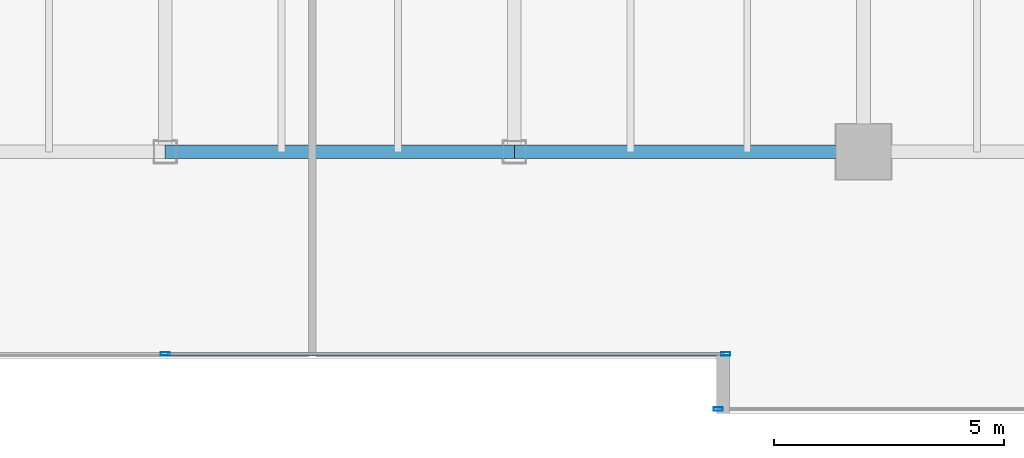
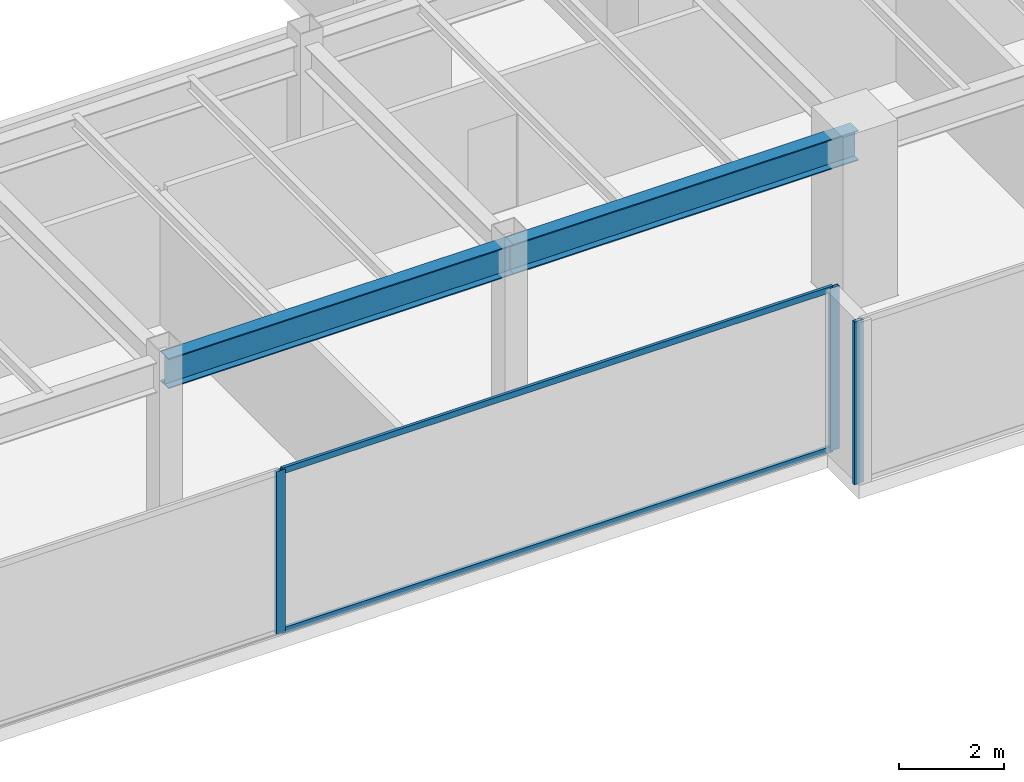
# One storey, part 10 of 33: 5 members, 2 beams, 2 elements without a shape of their own.
"""IFC4 building model written with IfcOpenShell, lengths in metres."""

from ifc_helpers import new_model, si_unit, direction, frame, origin, origin_2d, place, context, subcontext, project, spatial, hollow_rectangle, i_section, extrude, source, transform, mapped, material, layer, layer_set, material_profile, profile_set, type_object, type_shapes, element, aggregate, save


model = new_model("IFC4")

# Units and contexts
model_context = context("Model", 3, precision=1e-05, world=origin(), true_north=direction((0.0, 1.0)))
body_context = subcontext(model_context, "Body", "Model", "MODEL_VIEW")
ifc_project = project(units=[si_unit("LENGTHUNIT", "METRE"), si_unit("AREAUNIT", "SQUARE_METRE"), si_unit("VOLUMEUNIT", "CUBIC_METRE"), si_unit("PLANEANGLEUNIT", "RADIAN"), si_unit("MASSUNIT", "GRAM", prefix="KILO")], contexts=[model_context])

# Site, building, storey
site_placement = place(None, origin())
site = spatial("IfcSite", under=ifc_project, at=site_placement, CompositionType="ELEMENT")
building_placement = place(site_placement, origin())
building = spatial("IfcBuilding", under=site, at=building_placement, Name="Haelvirn Gate Laboratories", CompositionType="ELEMENT")
storey_placement = place(building_placement, frame((0.0, 0.0, 166.60009765625)))
storey = spatial("IfcBuildingStorey", under=building, at=storey_placement, Name="L40", CompositionType="ELEMENT", Elevation=166.60009765625)

# Beams
ifc_material_1 = material(Name="Steel SM355", Category="steel")
ifc_material_profile_1 = material_profile(ifc_material_1, i_section(OverallWidth=0.300048828125, OverallDepth=0.699951171875, WebThickness=0.012939453125, FlangeThickness=0.02392578125, at=origin_2d()), Name="H-700x300x13x24")
ifc_profile_set_1 = profile_set([ifc_material_profile_1], Name="Steel SM355")
beam_type = type_object("IfcBeamType", Name="BM-G-700", PredefinedType="BEAM", material=ifc_profile_set_1)
shared_shape_1 = source(origin(), body_context, "Body", "SweptSolid", [
    extrude(i_section(OverallWidth=0.300048828125, OverallDepth=0.699951171875, WebThickness=0.012939453125, FlangeThickness=0.02392578125, at=origin_2d()), origin(), (0.0, 0.0, 1.0), 7.60009765625),
])
type_shapes(beam_type, [shared_shape_1])
for number, where, z_axis, x_axis, name in (
    (1, (37.39990234375, 7.0, 3.43994140625), (1.0, 0.0, 0.0), (0.0, 1.0, 0.0), "L40 Primary Girder Y7.0 (37.4-45.0)"),
    (2, (45.0, 7.0, 3.43994140625), (1.0, 0.0, 0.0), (0.0, 1.0, 0.0), "L40 Primary Girder Y7.0 (45.0-52.6)"),
):
    element("IfcBeam", number, at=place(storey_placement, frame(where, z_axis=z_axis, x_axis=x_axis)), inside=storey, type_object=beam_type, Name=name, PredefinedType="BEAM", context=body_context, shape_type="MappedRepresentation", body=[
        mapped(shared_shape_1, transform((0.0, 0.0, 0.0), scale=1.0)),
    ])

# Curtain wall, members
ifc_material_2 = material(Name="Anodised bronze unitised aluminium & triple low-E glass", Category="aluminium")
ifc_layer = layer(ifc_material_2, 0.179931640625, Name="CW-SYS-3")
ifc_layer_set = layer_set([ifc_layer], Name="Anodised bronze unitised aluminium & triple low-E glass")
curtain_wall_type = type_object("IfcCurtainWallType", Name="CW-SYS-3", PredefinedType="NOTDEFINED", material=ifc_layer_set)
curtain_wall_1_placement = place(storey_placement, origin())
curtain_wall_1 = element("IfcCurtainWall", 3, at=curtain_wall_1_placement, inside=storey, type_object=curtain_wall_type, Name="L40 Unitised Curtain Wall CW-L40-P0-E02-1", PredefinedType="NOTDEFINED")
ifc_material_3 = material(Name="Extruded aluminium 6063-T6 (anodised bronze)", Category="aluminium")
ifc_material_profile_2 = material_profile(ifc_material_3, hollow_rectangle(XDim=0.06494140625, YDim=0.139892578125, WallThickness=0.00390625, at=origin_2d()), Name="CWT-140x65x4")
ifc_profile_set_2 = profile_set([ifc_material_profile_2], Name="Extruded aluminium 6063-T6 (anodised bronze)")
member_type_1 = type_object("IfcMemberType", Name="CWT-T140", PredefinedType="USERDEFINED", material=ifc_profile_set_2)
shared_shape_2 = source(origin(), body_context, "Body", "SweptSolid", [
    extrude(hollow_rectangle(XDim=0.06494140625, YDim=0.139892578125, WallThickness=0.00390625, at=origin_2d()), origin(), (0.0, 0.0, 1.0), 12.12744140625),
])
type_shapes(member_type_1, [shared_shape_2])
member_1_placement = place(storey_placement, frame((37.4375, 2.60009765625, 0.032470703125), z_axis=(1.0, 0.0, 0.0), x_axis=(0.0, 1.0, 0.0)))
member_1 = element("IfcMember", 4, at=member_1_placement, type_object=member_type_1, Name="CW3 transom 2.1", ObjectType="TRANSOM", PredefinedType="USERDEFINED", context=body_context, shape_type="MappedRepresentation", body=[
    mapped(shared_shape_2, transform((0.0, 0.0, 0.0), scale=1.0)),
])
member_2_placement = place(storey_placement, frame((37.4375, 2.60009765625, 3.75732421875), z_axis=(1.0, 0.0, 0.0), x_axis=(0.0, 1.0, 0.0)))
member_2 = element("IfcMember", 5, at=member_2_placement, type_object=member_type_1, Name="CW3 transom 2.2", ObjectType="TRANSOM", PredefinedType="USERDEFINED", context=body_context, shape_type="MappedRepresentation", body=[
    mapped(shared_shape_2, transform((0.0, 0.0, 0.0), scale=1.0)),
])
ifc_material_profile_3 = material_profile(ifc_material_3, hollow_rectangle(XDim=0.074951171875, YDim=0.199951171875, WallThickness=0.0048828125, at=origin_2d()), Name="CWM-200x75x5")
ifc_profile_set_3 = profile_set([ifc_material_profile_3], Name="Extruded aluminium 6063-T6 (anodised bronze)")
member_type_2 = type_object("IfcMemberType", Name="CWM-T200", PredefinedType="MULLION", material=ifc_profile_set_3)
shared_shape_3 = source(origin(), body_context, "Body", "SweptSolid", [
    extrude(hollow_rectangle(XDim=0.074951171875, YDim=0.199951171875, WallThickness=0.0048828125, at=origin_2d()), origin(), (0.0, 0.0, 1.0), 3.789794921875),
])
type_shapes(member_type_2, [shared_shape_3])
member_3_placement = place(storey_placement, frame((37.39990234375, 2.60009765625, 0.0), z_axis=(0.0, 0.0, 1.0), x_axis=(0.0, 1.0, 0.0)))
member_3 = element("IfcMember", 6, at=member_3_placement, type_object=member_type_2, Name="CW3 mullion 2", PredefinedType="MULLION", context=body_context, shape_type="MappedRepresentation", body=[
    mapped(shared_shape_3, transform((0.0, 0.0, 0.0), scale=1.0)),
])
member_4_placement = place(storey_placement, frame((49.6025390625, 2.60009765625, 0.0), z_axis=(0.0, 0.0, 1.0), x_axis=(0.0, 1.0, 0.0)))
member_4 = element("IfcMember", 7, at=member_4_placement, type_object=member_type_2, Name="CW3 mullion 3", PredefinedType="MULLION", context=body_context, shape_type="MappedRepresentation", body=[
    mapped(shared_shape_3, transform((0.0, 0.0, 0.0), scale=1.0)),
])
aggregate(curtain_wall_1, [member_3, member_4, member_1, member_2])

# Curtain wall, member
curtain_wall_2_placement = place(storey_placement, origin())
curtain_wall_2 = element("IfcCurtainWall", 8, at=curtain_wall_2_placement, inside=storey, type_object=curtain_wall_type, Name="L40 Unitised Curtain Wall CW-L40-P0-E04-1", PredefinedType="NOTDEFINED")
member_5_placement = place(storey_placement, frame((49.4375, 1.39990234375, 0.0), z_axis=(0.0, 0.0, 1.0), x_axis=(0.0, 1.0, 0.0)))
member_5 = element("IfcMember", 9, at=member_5_placement, type_object=member_type_2, Name="CW3 mullion 1", PredefinedType="MULLION", context=body_context, shape_type="MappedRepresentation", body=[
    mapped(shared_shape_3, transform((0.0, 0.0, 0.0), scale=1.0)),
])
aggregate(curtain_wall_2, [member_5])

save(model, "model.ifc")
